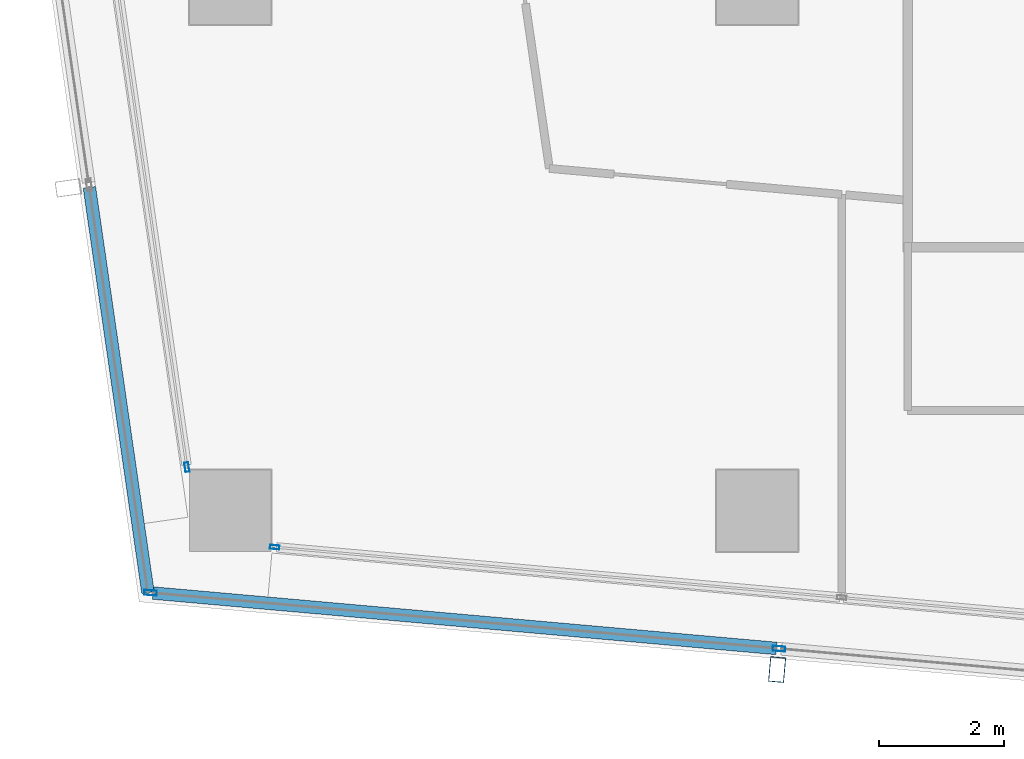
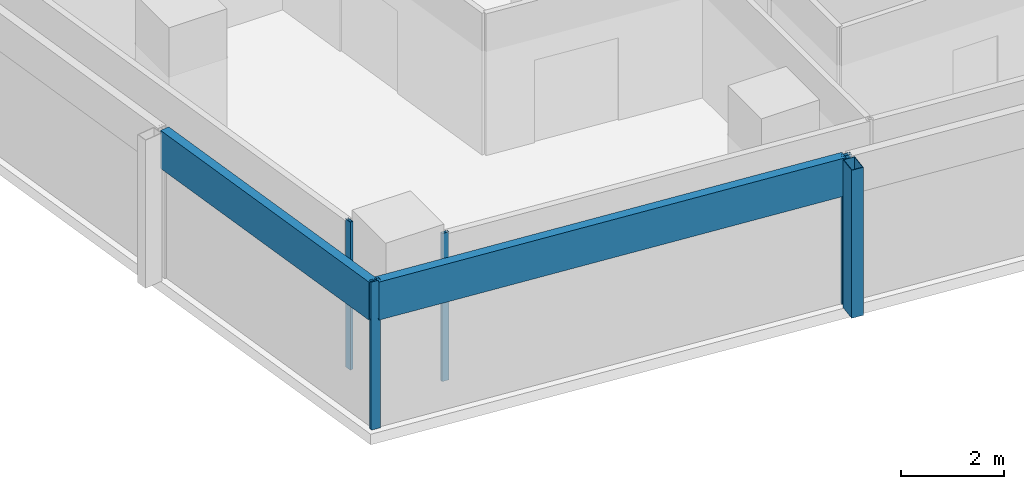
# One storey, part 2 of 26: 7 members, 4 elements without a shape of their own.
"""IFC4 building model written with IfcOpenShell, lengths in metres."""

from ifc_helpers import new_model, si_unit, direction, frame, origin, origin_2d, place, context, subcontext, project, spatial, hollow_rectangle, extrude, material, material_profile, profile_set, type_object, element, aggregate, save


model = new_model("IFC4")

# Units and contexts
model_context = context("Model", 3, precision=1e-05, world=origin(), true_north=direction((0.0, 1.0)))
body_context = subcontext(model_context, "Body", "Model", "MODEL_VIEW")
ifc_project = project(units=[si_unit("LENGTHUNIT", "METRE"), si_unit("AREAUNIT", "SQUARE_METRE"), si_unit("VOLUMEUNIT", "CUBIC_METRE"), si_unit("PLANEANGLEUNIT", "RADIAN"), si_unit("MASSUNIT", "GRAM", prefix="KILO")], contexts=[model_context])

# Site, building, storey
site_placement = place(None, origin())
site = spatial("IfcSite", under=ifc_project, at=site_placement, CompositionType="ELEMENT")
building_placement = place(site_placement, origin())
building = spatial("IfcBuilding", under=site, at=building_placement, Name="Rekha Terrace Tower", CompositionType="ELEMENT")
storey_placement = place(building_placement, frame((0.0, 0.0, 283.85009765625)))
storey = spatial("IfcBuildingStorey", under=building, at=storey_placement, Name="L72", CompositionType="ELEMENT", Elevation=283.85009765625)

# Curtain wall, member
ifc_material_1 = material(Name="Aluminium framing", Category="aluminium")
curtain_wall_type_1 = type_object("IfcCurtainWallType", Name="CW2 double skin outer glazing", PredefinedType="USERDEFINED", material=ifc_material_1)
curtain_wall_1_placement = place(storey_placement, origin())
curtain_wall_1 = element("IfcCurtainWall", 1, at=curtain_wall_1_placement, inside=storey, type_object=curtain_wall_type_1, Name="CW2 double skin outer glazing", ObjectType="DOUBLE SKIN OUTER GLAZING", PredefinedType="USERDEFINED")
ifc_material_2 = material(Name="Steel S355 with fluorocarbon finish", Category="steel")
ifc_material_profile_1 = material_profile(ifc_material_2, hollow_rectangle(XDim=0.25, YDim=0.39990234375, WallThickness=0.012451171875, at=origin_2d()), Name="RHS400x250x12.5")
ifc_profile_set_1 = profile_set([ifc_material_profile_1], Name="Steel S355 with fluorocarbon finish")
member_type_1 = type_object("IfcMemberType", Name="BL1 facade blade RHS 400 x 250", PredefinedType="USERDEFINED", material=ifc_profile_set_1)
member_1_placement = place(storey_placement, frame((17.118896484375, 14.2705078125, 0.0), z_axis=(0.0, 0.0, 1.0), x_axis=(0.996074197996, -0.088522268879, 0.0)))
member_1 = element("IfcMember", 2, at=member_1_placement, type_object=member_type_1, Name="Facade blade", ObjectType="FACADE BLADE", PredefinedType="USERDEFINED", context=body_context, shape_type="SweptSolid", body=[
    extrude(hollow_rectangle(XDim=0.25, YDim=0.39990234375, WallThickness=0.012451171875, at=origin_2d()), origin(), (0.0, 0.0, 1.0), 3.5),
])

curtain_wall_type_2 = type_object("IfcCurtainWallType", Name="CW1 double skin inner glazing", PredefinedType="USERDEFINED", material=ifc_material_1)
curtain_wall_2_placement = place(storey_placement, origin())
curtain_wall_2 = element("IfcCurtainWall", 3, at=curtain_wall_2_placement, inside=storey, type_object=curtain_wall_type_2, Name="CW1 double skin inner glazing", ObjectType="DOUBLE SKIN INNER GLAZING", PredefinedType="USERDEFINED")
ifc_material_3 = material(Name="Aluminium mullion section", Category="aluminium")
ifc_material_profile_2 = material_profile(ifc_material_3, hollow_rectangle(XDim=0.06494140625, YDim=0.14990234375, WallThickness=0.00390625, at=origin_2d()), Name="AL RHS 65x150")
ifc_profile_set_2 = profile_set([ifc_material_profile_2], Name="Aluminium mullion section")
member_type_2 = type_object("IfcMemberType", Name="CW1 mullion RHS 65 x 150", PredefinedType="MULLION", material=ifc_profile_set_2)
member_2_placement = place(storey_placement, frame((9.109130859375, 16.222412109375, 0.0), z_axis=(0.0, 0.0, 1.0), x_axis=(0.088522441405, 0.996074182663, 0.0)))
member_2 = element("IfcMember", 4, at=member_2_placement, type_object=member_type_2, Name="CW1 mullion 1", PredefinedType="MULLION", context=body_context, shape_type="SweptSolid", body=[
    extrude(hollow_rectangle(XDim=0.06494140625, YDim=0.14990234375, WallThickness=0.00390625, at=origin_2d()), origin(), (0.0, 0.0, 1.0), 3.5),
])
aggregate(curtain_wall_2, [member_2])

curtain_wall_3_placement = place(storey_placement, origin())
curtain_wall_3 = element("IfcCurtainWall", 5, at=curtain_wall_3_placement, inside=storey, type_object=curtain_wall_type_2, Name="CW1 double skin inner glazing", ObjectType="DOUBLE SKIN INNER GLAZING", PredefinedType="USERDEFINED")
member_3_placement = place(storey_placement, frame((7.71044921875, 17.497314453125, 0.0), z_axis=(0.0, 0.0, 1.0), x_axis=(0.989707031394, 0.143108322643, 0.0)))
member_3 = element("IfcMember", 6, at=member_3_placement, type_object=member_type_2, Name="CW1 mullion 2", PredefinedType="MULLION", context=body_context, shape_type="SweptSolid", body=[
    extrude(hollow_rectangle(XDim=0.06494140625, YDim=0.14990234375, WallThickness=0.00390625, at=origin_2d()), origin(), (0.0, 0.0, 1.0), 3.5),
])
aggregate(curtain_wall_3, [member_3])

# Member
ifc_material_profile_3 = material_profile(ifc_material_3, hollow_rectangle(XDim=0.080078125, YDim=0.199951171875, WallThickness=0.00390625, at=origin_2d()), Name="AL RHS 80x200")
ifc_profile_set_3 = profile_set([ifc_material_profile_3], Name="Aluminium mullion section")
member_type_3 = type_object("IfcMemberType", Name="CW2 mullion RHS 80 x 200", PredefinedType="MULLION", material=ifc_profile_set_3)
member_4_placement = place(storey_placement, frame((7.130126953125, 15.49462890625, 0.0), z_axis=(0.0, 0.0, 1.0), x_axis=(0.088522441457, 0.996074182658, 0.0)))
member_4 = element("IfcMember", 7, at=member_4_placement, type_object=member_type_3, Name="CW2 mullion 1", PredefinedType="MULLION", context=body_context, shape_type="SweptSolid", body=[
    extrude(hollow_rectangle(XDim=0.080078125, YDim=0.199951171875, WallThickness=0.00390625, at=origin_2d()), origin(), (0.0, 0.0, 1.0), 3.5),
])

member_5_placement = place(storey_placement, frame((17.1484375, 14.604248046875, 0.0), z_axis=(0.0, 0.0, 1.0), x_axis=(0.088522441457, 0.996074182658, 0.0)))
member_5 = element("IfcMember", 8, at=member_5_placement, type_object=member_type_3, Name="CW2 mullion 2", PredefinedType="MULLION", context=body_context, shape_type="SweptSolid", body=[
    extrude(hollow_rectangle(XDim=0.080078125, YDim=0.199951171875, WallThickness=0.00390625, at=origin_2d()), origin(), (0.0, 0.0, 1.0), 3.5),
])

ifc_material_4 = material(Name="Insulated aluminium spandrel box", Category="aluminium")
ifc_material_profile_4 = material_profile(ifc_material_4, hollow_rectangle(XDim=0.199951171875, YDim=0.89990234375, WallThickness=0.0029296875, at=origin_2d()), Name="AL SPANDREL BOX 200x900")
ifc_profile_set_4 = profile_set([ifc_material_profile_4], Name="Insulated aluminium spandrel box")
member_type_4 = type_object("IfcMemberType", Name="CW2 spandrel transom 200 x 900", PredefinedType="USERDEFINED", material=ifc_profile_set_4)
member_6_placement = place(storey_placement, frame((7.169921875, 15.490966796875, 3.0498046875), z_axis=(0.996076044645, -0.088501487472, 0.0), x_axis=(0.088501487472, 0.996076044645, 0.0)))
member_6 = element("IfcMember", 9, at=member_6_placement, type_object=member_type_4, Name="CW2 spandrel transom 1", ObjectType="TRANSOM", PredefinedType="USERDEFINED", context=body_context, shape_type="SweptSolid", body=[
    extrude(hollow_rectangle(XDim=0.199951171875, YDim=0.89990234375, WallThickness=0.0029296875, at=origin_2d()), origin(), (0.0, 0.0, 1.0), 9.977783203125),
])

aggregate(curtain_wall_1, [member_4, member_5, member_6, member_1])

# Curtain wall, member
curtain_wall_4_placement = place(storey_placement, origin())
curtain_wall_4 = element("IfcCurtainWall", 10, at=curtain_wall_4_placement, inside=storey, type_object=curtain_wall_type_1, Name="CW2 double skin outer glazing", ObjectType="DOUBLE SKIN OUTER GLAZING", PredefinedType="USERDEFINED")
member_7_placement = place(storey_placement, frame((6.15625, 21.95703125, 3.0498046875), z_axis=(0.143128512687, -0.989704111771, 0.0), x_axis=(0.989704111771, 0.143128512687, 0.0)))
member_7 = element("IfcMember", 11, at=member_7_placement, type_object=member_type_4, Name="CW2 spandrel transom 2", ObjectType="TRANSOM", PredefinedType="USERDEFINED", context=body_context, shape_type="SweptSolid", body=[
    extrude(hollow_rectangle(XDim=0.199951171875, YDim=0.89990234375, WallThickness=0.0029296875, at=origin_2d()), origin(), (0.0, 0.0, 1.0), 6.526123046875),
])
aggregate(curtain_wall_4, [member_7])

save(model, "model.ifc")
